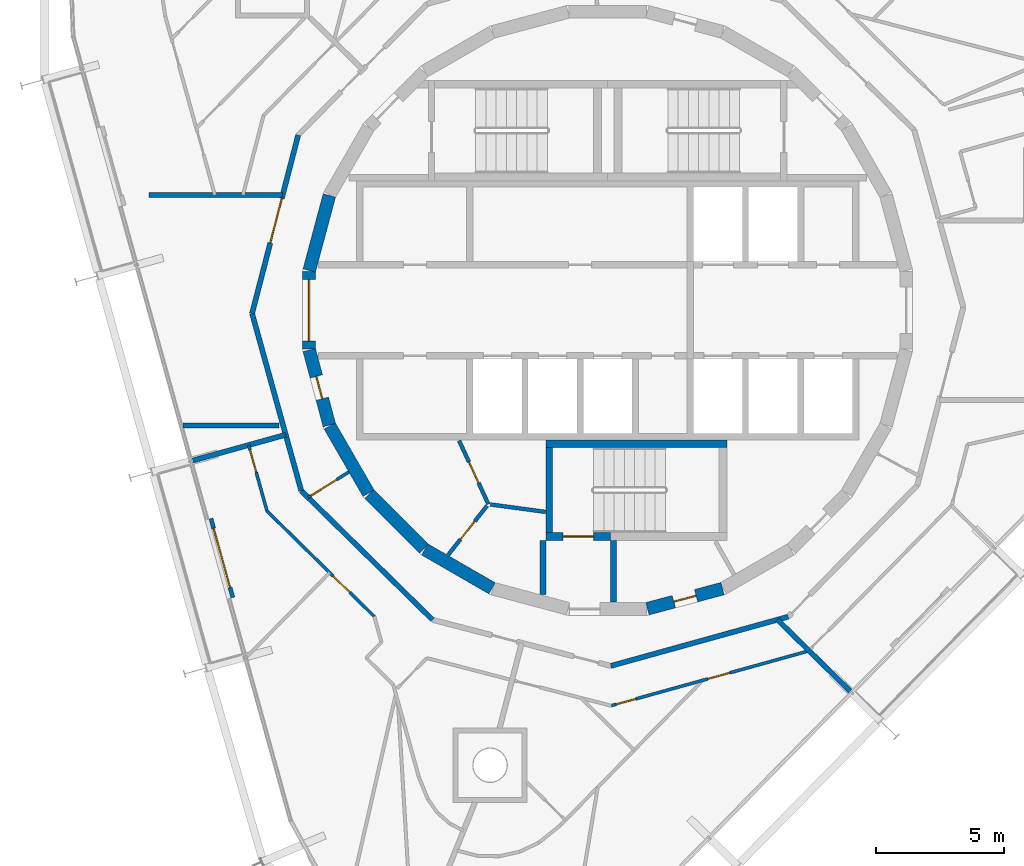
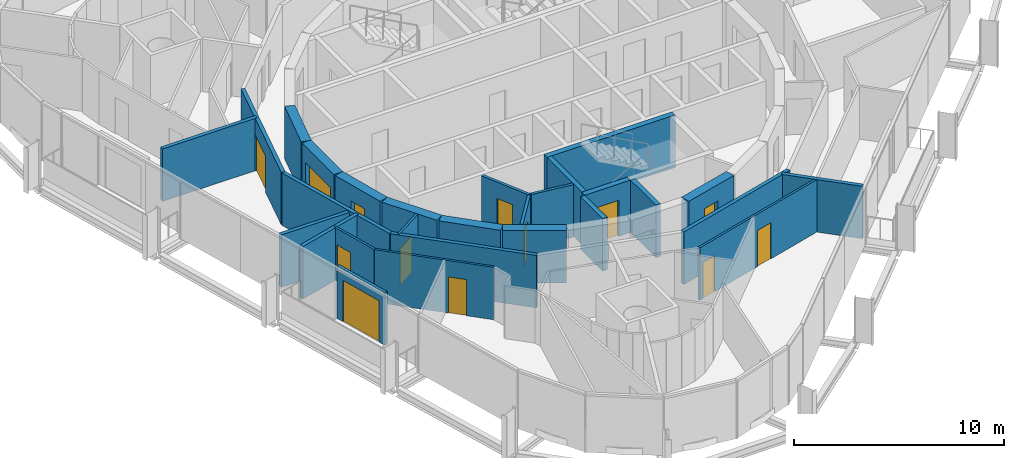
# One storey, part 10 of 15: 28 walls, 13 doors, 13 openings.
"""IFC4 building model written with IfcOpenShell, lengths in metres."""

from ifc_helpers import new_model, si_unit, direction, frame, frame_2d, origin, place, context, subcontext, project, spatial, rectangle, extrude, material, layer, layer_set, type_object, element, fill, save


model = new_model("IFC4")

# Units and contexts
model_context = context("Model", 3, precision=1e-05, world=origin(), true_north=direction((0.0, 1.0)))
body_context = subcontext(model_context, "Body", "Model", "MODEL_VIEW")
ifc_project = project(units=[si_unit("LENGTHUNIT", "METRE"), si_unit("AREAUNIT", "SQUARE_METRE"), si_unit("VOLUMEUNIT", "CUBIC_METRE"), si_unit("PLANEANGLEUNIT", "RADIAN"), si_unit("MASSUNIT", "GRAM", prefix="KILO")], contexts=[model_context])

# Site, building, storey
site_placement = place(None, origin())
site = spatial("IfcSite", under=ifc_project, at=site_placement, CompositionType="ELEMENT")
building_placement = place(site_placement, origin())
building = spatial("IfcBuilding", under=site, at=building_placement, Name="Spindle Arch Residences", CompositionType="ELEMENT")
storey_placement = place(building_placement, frame((0.0, 0.0, 322.699951171875)))
storey = spatial("IfcBuildingStorey", under=building, at=storey_placement, Name="L83", CompositionType="ELEMENT", Elevation=322.699951171875)

# Wall, opening, door
ifc_material_1 = material(Name="Concrete C50/60", Category="concrete")
ifc_layer_1 = layer(ifc_material_1, 0.5)
ifc_layer_set_1 = layer_set([ifc_layer_1], Name="Core outline wall 500")
wall_type_1 = type_object("IfcWallType", Name="Core outline wall 500", PredefinedType="SHEAR", material=ifc_layer_set_1)
wall_1_placement = place(storey_placement, frame((1.5498046875, -11.642822265625, 0.0), z_axis=(0.0, 0.0, 1.0), x_axis=(0.965948410781, 0.258734743916, 0.0)))
wall_1 = element("IfcWall", 1, at=wall_1_placement, inside=storey, type_object=wall_type_1, Name="Core outline wall 1", PredefinedType="SHEAR", context=body_context, shape_type="SweptSolid", body=[
    extrude(rectangle(XDim=3.03271484375, YDim=0.5, at=frame_2d((1.516357421875, 0.0))), origin(), (0.0, 0.0, 1.0), 3.050048828125),
])
opening_1_placement = place(wall_1_placement, frame((1.06640625, 0.0, 0.0)))
opening_1 = element("IfcOpeningElement", 2, at=opening_1_placement, cuts=wall_1, Name="Opening R8C1-WD09", PredefinedType="OPENING", context=body_context, shape_type="SweptSolid", body=[
    extrude(rectangle(XDim=0.89990234375, YDim=2.10009765625, at=frame_2d((0.449951171875, 1.050048828125))), frame((0.0, 0.260009765625, 0.0), z_axis=(0.0, -1.0, 0.0), x_axis=(1.0, 0.0, 0.0)), (0.0, 0.0, 1.0), 0.52001953125),
])
ifc_material_2 = material(Name="Steel, fire-resisting door", Category="steel")
door_type_1 = type_object("IfcDoorType", Name="Service room door 900x2100", OperationType="SINGLE_SWING_LEFT", PredefinedType="DOOR", material=ifc_material_2)
door_1_placement = place(opening_1_placement, origin())
door_1 = element("IfcDoor", 3, at=door_1_placement, inside=storey, type_object=door_type_1, Name="Service room door R8C1-WD09", OperationType="SINGLE_SWING_LEFT", OverallHeight=2.10009765625, OverallWidth=0.89990234375, PredefinedType="DOOR", context=body_context, shape_type="SweptSolid", body=[
    extrude(rectangle(XDim=0.89990234375, YDim=2.10009765625, at=frame_2d((0.449951171875, 1.050048828125))), frame((0.0, 0.02490234375, 0.0), z_axis=(0.0, -1.0, 0.0), x_axis=(1.0, 0.0, 0.0)), (0.0, 0.0, 1.0), 0.050048828125),
])
fill(opening_1, door_1)

# Wall
wall_2_placement = place(storey_placement, frame((-10.858154296875, 4.479248046875, 0.0), z_axis=(0.0, 0.0, 1.0), x_axis=(-0.258734743916, -0.965948410781, 0.0)))
element("IfcWall", 4, at=wall_2_placement, inside=storey, type_object=wall_type_1, Name="Core outline wall 17", PredefinedType="SHEAR", context=body_context, shape_type="SweptSolid", body=[
    extrude(rectangle(XDim=3.03271484375, YDim=0.5, at=frame_2d((1.516357421875, 0.0))), origin(), (0.0, 0.0, 1.0), 3.050048828125),
])

# Wall, opening, door
wall_3_placement = place(storey_placement, frame((-11.647216796875, 1.516357421875, 0.0), z_axis=(0.0, 0.0, 1.0), x_axis=(0.0, -1.0, 0.0)))
wall_3 = element("IfcWall", 5, at=wall_3_placement, inside=storey, type_object=wall_type_1, Name="Core outline wall 18", PredefinedType="SHEAR", context=body_context, shape_type="SweptSolid", body=[
    extrude(rectangle(XDim=3.03271484375, YDim=0.5, at=frame_2d((1.516357421875, 0.0))), origin(), (0.0, 0.0, 1.0), 3.050048828125),
])
opening_2_placement = place(wall_3_placement, frame((0.31640625, 0.0, 0.0)))
opening_2 = element("IfcOpeningElement", 6, at=opening_2_placement, cuts=wall_3, Name="Opening R8C1-LE01", PredefinedType="OPENING", context=body_context, shape_type="SweptSolid", body=[
    extrude(rectangle(XDim=2.39990234375, YDim=2.10009765625, at=frame_2d((1.199951171875, 1.050048828125))), frame((0.0, 0.260009765625, 0.0), z_axis=(0.0, -1.0, 0.0), x_axis=(1.0, 0.0, 0.0)), (0.0, 0.0, 1.0), 0.52001953125),
])
ifc_material_3 = material(Name="Steel, fire-resisting door", Category="steel")
door_type_2 = type_object("IfcDoorType", Name="Lift lobby entrance door 2400x2100", OperationType="DOUBLE_DOOR_SINGLE_SWING", PredefinedType="DOOR", material=ifc_material_3)
door_2_placement = place(opening_2_placement, origin())
door_2 = element("IfcDoor", 7, at=door_2_placement, inside=storey, type_object=door_type_2, Name="Lift lobby entrance door R8C1-LE01", OperationType="DOUBLE_DOOR_SINGLE_SWING", OverallHeight=2.10009765625, OverallWidth=2.39990234375, PredefinedType="DOOR", context=body_context, shape_type="SweptSolid", body=[
    extrude(rectangle(XDim=2.39990234375, YDim=2.10009765625, at=frame_2d((1.199951171875, 1.050048828125))), frame((0.0, 0.02490234375, 0.0), z_axis=(0.0, -1.0, 0.0), x_axis=(1.0, 0.0, 0.0)), (0.0, 0.0, 1.0), 0.050048828125),
])
fill(opening_2, door_2)

wall_4_placement = place(storey_placement, frame((-11.642822265625, -1.5498046875, 0.0), z_axis=(0.0, 0.0, 1.0), x_axis=(0.258734743916, -0.965948410781, 0.0)))
wall_4 = element("IfcWall", 8, at=wall_4_placement, inside=storey, type_object=wall_type_1, Name="Core outline wall 19", PredefinedType="SHEAR", context=body_context, shape_type="SweptSolid", body=[
    extrude(rectangle(XDim=3.03271484375, YDim=0.5, at=frame_2d((1.516357421875, 0.0))), origin(), (0.0, 0.0, 1.0), 3.050048828125),
])
opening_3_placement = place(wall_4_placement, frame((1.06640625, 0.0, 0.0)))
opening_3 = element("IfcOpeningElement", 9, at=opening_3_placement, cuts=wall_4, Name="Opening R8C1-WD10", PredefinedType="OPENING", context=body_context, shape_type="SweptSolid", body=[
    extrude(rectangle(XDim=0.89990234375, YDim=2.10009765625, at=frame_2d((0.449951171875, 1.050048828125))), frame((0.0, 0.260009765625, 0.0), z_axis=(0.0, -1.0, 0.0), x_axis=(1.0, 0.0, 0.0)), (0.0, 0.0, 1.0), 0.52001953125),
])
door_3_placement = place(opening_3_placement, origin())
door_3 = element("IfcDoor", 10, at=door_3_placement, inside=storey, type_object=door_type_1, Name="Service room door R8C1-WD10", OperationType="SINGLE_SWING_RIGHT", OverallHeight=2.10009765625, OverallWidth=0.89990234375, PredefinedType="DOOR", context=body_context, shape_type="SweptSolid", body=[
    extrude(rectangle(XDim=0.89990234375, YDim=2.10009765625, at=frame_2d((0.449951171875, 1.050048828125))), frame((0.0, 0.02490234375, 0.0), z_axis=(0.0, -1.0, 0.0), x_axis=(1.0, 0.0, 0.0)), (0.0, 0.0, 1.0), 0.050048828125),
])
fill(opening_3, door_3)

# Walls
wall_5_placement = place(storey_placement, frame((-10.84521484375, -4.510498046875, 0.0), z_axis=(0.0, 0.0, 1.0), x_axis=(0.500087131594, -0.865975092491, 0.0)))
element("IfcWall", 11, at=wall_5_placement, inside=storey, type_object=wall_type_1, Name="Core outline wall 20", PredefinedType="SHEAR", context=body_context, shape_type="SweptSolid", body=[
    extrude(rectangle(XDim=3.03271484375, YDim=0.5, at=frame_2d((1.516357421875, 0.0))), origin(), (0.0, 0.0, 1.0), 3.050048828125),
])
wall_6_placement = place(storey_placement, frame((-9.30810546875, -7.163818359375, 0.0), z_axis=(0.0, 0.0, 1.0), x_axis=(0.707106781187, -0.707106781187, 0.0)))
element("IfcWall", 12, at=wall_6_placement, inside=storey, type_object=wall_type_1, Name="Core outline wall 21", PredefinedType="SHEAR", context=body_context, shape_type="SweptSolid", body=[
    extrude(rectangle(XDim=3.032470703125, YDim=0.5, at=frame_2d((1.51611328125, 0.0))), origin(), (0.0, 0.0, 1.0), 3.050048828125),
])
wall_7_placement = place(storey_placement, frame((-7.13671875, -9.32861328125, 0.0), z_axis=(0.0, 0.0, 1.0), x_axis=(0.865975092491, -0.500087131594, 0.0)))
element("IfcWall", 13, at=wall_7_placement, inside=storey, type_object=wall_type_1, Name="Core outline wall 22", PredefinedType="SHEAR", context=body_context, shape_type="SweptSolid", body=[
    extrude(rectangle(XDim=3.03271484375, YDim=0.5, at=frame_2d((1.516357421875, 0.0))), origin(), (0.0, 0.0, 1.0), 3.050048828125),
])

# Wall, opening, door
ifc_material_4 = material(Name="Plasterboard on steel studs", Category="steel")
ifc_layer_2 = layer(ifc_material_4, 0.1201171875)
ifc_layer_set_2 = layer_set([ifc_layer_2], Name="Corridor division wall 120")
wall_type_2 = type_object("IfcWallType", Name="Corridor division wall 120", PredefinedType="PARTITIONING", material=ifc_layer_set_2)
wall_8_placement = place(storey_placement, frame((-11.686767578125, -7.302734375, 0.0), z_axis=(0.0, 0.0, 1.0), x_axis=(0.848064094072, 0.529893661357, 0.0)))
wall_8 = element("IfcWall", 14, at=wall_8_placement, inside=storey, type_object=wall_type_2, Name="Corridor division wall R8C1-W003", PredefinedType="PARTITIONING", context=body_context, shape_type="SweptSolid", body=[
    extrude(rectangle(XDim=1.876220703125, YDim=0.1201171875, at=frame_2d((0.93798828125, 0.0))), origin(), (0.0, 0.0, 1.0), 3.050048828125),
])
opening_4_placement = place(wall_8_placement, frame((0.125, 0.0, 0.0)))
opening_4 = element("IfcOpeningElement", 15, at=opening_4_placement, cuts=wall_8, Name="Opening R8C1-CD03", PredefinedType="OPENING", context=body_context, shape_type="SweptSolid", body=[
    extrude(rectangle(XDim=1.199951171875, YDim=2.10009765625, at=frame_2d((0.60009765625, 1.050048828125))), frame((0.0, 0.070068359375, 0.0), z_axis=(0.0, -1.0, 0.0), x_axis=(1.0, 0.0, 0.0)), (0.0, 0.0, 1.0), 0.14013671875),
])
ifc_material_5 = material(Name="Steel, fire-resisting door", Category="steel")
door_type_3 = type_object("IfcDoorType", Name="Corridor division door 1200x2100", OperationType="NOTDEFINED", PredefinedType="DOOR", material=ifc_material_5)
door_4_placement = place(opening_4_placement, origin())
door_4 = element("IfcDoor", 16, at=door_4_placement, inside=storey, type_object=door_type_3, Name="Corridor division door R8C1-CD03", OperationType="DOUBLE_DOOR_SINGLE_SWING", OverallHeight=2.10009765625, OverallWidth=1.199951171875, PredefinedType="DOOR", context=body_context, shape_type="SweptSolid", body=[
    extrude(rectangle(XDim=1.199951171875, YDim=2.10009765625, at=frame_2d((0.60009765625, 1.050048828125))), frame((0.0, 0.02490234375, 0.0), z_axis=(0.0, -1.0, 0.0), x_axis=(1.0, 0.0, 0.0)), (0.0, 0.0, 1.0), 0.050048828125),
])
fill(opening_4, door_4)

# Walls
ifc_material_6 = material(Name="Calcium silicate block, plastered")
ifc_layer_3 = layer(ifc_material_6, 0.199951171875)
ifc_layer_set_3 = layer_set([ifc_layer_3], Name="Corridor wall 200")
wall_type_3 = type_object("IfcWallType", Name="Corridor wall 200", PredefinedType="STANDARD", material=ifc_layer_set_3)
wall_9_placement = place(storey_placement, frame((-11.953125, -7.041015625, 0.0), z_axis=(0.0, 0.0, 1.0), x_axis=(0.713250549143, -0.70090916255, 0.0)))
element("IfcWall", 17, at=wall_9_placement, inside=storey, type_object=wall_type_3, Name="Corridor wall R8C1-W013", PredefinedType="STANDARD", context=body_context, shape_type="SweptSolid", body=[
    extrude(rectangle(XDim=7.180908203125, YDim=0.199951171875, at=frame_2d((3.59033203125, 0.0))), origin(), (0.0, 0.0, 1.0), 3.050048828125),
])
wall_10_placement = place(storey_placement, frame((0.12109375, -13.872314453125, 0.0), z_axis=(0.0, 0.0, 1.0), x_axis=(0.963625960674, 0.267254575108, 0.0)))
element("IfcWall", 18, at=wall_10_placement, inside=storey, type_object=wall_type_3, Name="Corridor wall R8C1-W015", PredefinedType="STANDARD", context=body_context, shape_type="SweptSolid", body=[
    extrude(rectangle(XDim=7.18115234375, YDim=0.199951171875, at=frame_2d((3.590576171875, 0.0))), origin(), (0.0, 0.0, 1.0), 3.050048828125),
])

# Wall, opening, door
ifc_material_7 = material(Name="Plasterboard on steel studs", Category="steel")
ifc_layer_4 = layer(ifc_material_7, 0.1201171875)
ifc_layer_set_4 = layer_set([ifc_layer_4], Name="Flat partition 120")
wall_type_4 = type_object("IfcWallType", Name="Flat partition 120", PredefinedType="PARTITIONING", material=ifc_layer_set_4)
wall_11_placement = place(storey_placement, frame((-14.004638671875, -5.25634765625, 0.0), z_axis=(0.0, 0.0, 1.0), x_axis=(0.267200500487, -0.963640956238, 0.0)))
wall_11 = element("IfcWall", 19, at=wall_11_placement, inside=storey, type_object=wall_type_4, Name="Flat partition R8C1-W067", PredefinedType="PARTITIONING", context=body_context, shape_type="SweptSolid", body=[
    extrude(rectangle(XDim=2.669921875, YDim=0.1201171875, at=frame_2d((1.3349609375, 0.0))), origin(), (0.0, 0.0, 1.0), 3.050048828125),
])
opening_5_placement = place(wall_11_placement, frame((0.199951171875, 0.0, 0.0)))
opening_5 = element("IfcOpeningElement", 20, at=opening_5_placement, cuts=wall_11, Name="Opening R8C1-ID13", PredefinedType="OPENING", context=body_context, shape_type="SweptSolid", body=[
    extrude(rectangle(XDim=0.89990234375, YDim=2.10009765625, at=frame_2d((0.449951171875, 1.050048828125))), frame((0.0, 0.070068359375, 0.0), z_axis=(0.0, -1.0, 0.0), x_axis=(1.0, 0.0, 0.0)), (0.0, 0.0, 1.0), 0.14013671875),
])
ifc_material_8 = material(Name="Timber door set", Category="wood")
door_type_4 = type_object("IfcDoorType", Name="Room door 900x2100", OperationType="NOTDEFINED", PredefinedType="DOOR", material=ifc_material_8)
door_5_placement = place(opening_5_placement, origin())
door_5 = element("IfcDoor", 21, at=door_5_placement, inside=storey, type_object=door_type_4, Name="Room door R8C1-ID13", OperationType="SINGLE_SWING_RIGHT", OverallHeight=2.10009765625, OverallWidth=0.89990234375, PredefinedType="DOOR", context=body_context, shape_type="SweptSolid", body=[
    extrude(rectangle(XDim=0.89990234375, YDim=2.10009765625, at=frame_2d((0.449951171875, 1.050048828125))), frame((0.0, 0.02490234375, 0.0), z_axis=(0.0, -1.0, 0.0), x_axis=(1.0, 0.0, 0.0)), (0.0, 0.0, 1.0), 0.050048828125),
])
fill(opening_5, door_5)

wall_12_placement = place(storey_placement, frame((-13.291259765625, -7.8291015625, 0.0), z_axis=(0.0, 0.0, 1.0), x_axis=(0.713255094589, -0.700904537039, 0.0)))
wall_12 = element("IfcWall", 22, at=wall_12_placement, inside=storey, type_object=wall_type_4, Name="Flat partition R8C1-W068", PredefinedType="PARTITIONING", context=body_context, shape_type="SweptSolid", body=[
    extrude(rectangle(XDim=5.870849609375, YDim=0.1201171875, at=frame_2d((2.935546875, 0.0))), origin(), (0.0, 0.0, 1.0), 3.050048828125),
])
opening_6_placement = place(wall_12_placement, frame((3.62744140625, 0.0, 0.0)))
opening_6 = element("IfcOpeningElement", 23, at=opening_6_placement, cuts=wall_12, Name="Opening R8C1-ID14", PredefinedType="OPENING", context=body_context, shape_type="SweptSolid", body=[
    extrude(rectangle(XDim=0.89990234375, YDim=2.10009765625, at=frame_2d((0.449951171875, 1.050048828125))), frame((0.0, 0.070068359375, 0.0), z_axis=(0.0, -1.0, 0.0), x_axis=(1.0, 0.0, 0.0)), (0.0, 0.0, 1.0), 0.14013671875),
])
door_6_placement = place(opening_6_placement, origin())
door_6 = element("IfcDoor", 24, at=door_6_placement, inside=storey, type_object=door_type_4, Name="Room door R8C1-ID14", OperationType="SINGLE_SWING_RIGHT", OverallHeight=2.10009765625, OverallWidth=0.89990234375, PredefinedType="DOOR", context=body_context, shape_type="SweptSolid", body=[
    extrude(rectangle(XDim=0.89990234375, YDim=2.10009765625, at=frame_2d((0.449951171875, 1.050048828125))), frame((0.0, 0.02490234375, 0.0), z_axis=(0.0, -1.0, 0.0), x_axis=(1.0, 0.0, 0.0)), (0.0, 0.0, 1.0), 0.050048828125),
])
fill(opening_6, door_6)

# Wall, openings, doors
wall_13_placement = place(storey_placement, frame((0.134521484375, -15.425048828125, 0.0), z_axis=(0.0, 0.0, 1.0), x_axis=(0.963633899075, 0.267225950373, 0.0)))
wall_13 = element("IfcWall", 25, at=wall_13_placement, inside=storey, type_object=wall_type_4, Name="Flat partition R8C1-W082", PredefinedType="PARTITIONING", context=body_context, shape_type="SweptSolid", body=[
    extrude(rectangle(XDim=7.98486328125, YDim=0.1201171875, at=frame_2d((3.992431640625, 0.0))), origin(), (0.0, 0.0, 1.0), 3.050048828125),
])
opening_7_placement = place(wall_13_placement, frame((0.199951171875, 0.0, 0.0)))
opening_7 = element("IfcOpeningElement", 26, at=opening_7_placement, cuts=wall_13, Name="Opening R8C1-BD05", PredefinedType="OPENING", context=body_context, shape_type="SweptSolid", body=[
    extrude(rectangle(XDim=0.800048828125, YDim=2.10009765625, at=frame_2d((0.39990234375, 1.050048828125))), frame((0.0, 0.070068359375, 0.0), z_axis=(0.0, -1.0, 0.0), x_axis=(1.0, 0.0, 0.0)), (0.0, 0.0, 1.0), 0.14013671875),
])
opening_8_placement = place(wall_13_placement, frame((3.9140625, 0.0, 0.0)))
opening_8 = element("IfcOpeningElement", 27, at=opening_8_placement, cuts=wall_13, Name="Opening R8C1-ID18", PredefinedType="OPENING", context=body_context, shape_type="SweptSolid", body=[
    extrude(rectangle(XDim=0.89990234375, YDim=2.10009765625, at=frame_2d((0.449951171875, 1.050048828125))), frame((0.0, 0.070068359375, 0.0), z_axis=(0.0, -1.0, 0.0), x_axis=(1.0, 0.0, 0.0)), (0.0, 0.0, 1.0), 0.14013671875),
])
ifc_material_9 = material(Name="Timber door set", Category="wood")
door_type_5 = type_object("IfcDoorType", Name="Bathroom door 800x2100", OperationType="NOTDEFINED", PredefinedType="DOOR", material=ifc_material_9)
door_7_placement = place(opening_7_placement, origin())
door_7 = element("IfcDoor", 28, at=door_7_placement, inside=storey, type_object=door_type_5, Name="Bathroom door R8C1-BD05", OperationType="SINGLE_SWING_LEFT", OverallHeight=2.10009765625, OverallWidth=0.800048828125, PredefinedType="DOOR", context=body_context, shape_type="SweptSolid", body=[
    extrude(rectangle(XDim=0.800048828125, YDim=2.10009765625, at=frame_2d((0.39990234375, 1.050048828125))), frame((0.0, 0.02490234375, 0.0), z_axis=(0.0, -1.0, 0.0), x_axis=(1.0, 0.0, 0.0)), (0.0, 0.0, 1.0), 0.050048828125),
])
fill(opening_7, door_7)
door_8_placement = place(opening_8_placement, origin())
door_8 = element("IfcDoor", 29, at=door_8_placement, inside=storey, type_object=door_type_4, Name="Room door R8C1-ID18", OperationType="SINGLE_SWING_LEFT", OverallHeight=2.10009765625, OverallWidth=0.89990234375, PredefinedType="DOOR", context=body_context, shape_type="SweptSolid", body=[
    extrude(rectangle(XDim=0.89990234375, YDim=2.10009765625, at=frame_2d((0.449951171875, 1.050048828125))), frame((0.0, 0.02490234375, 0.0), z_axis=(0.0, -1.0, 0.0), x_axis=(1.0, 0.0, 0.0)), (0.0, 0.0, 1.0), 0.050048828125),
])
fill(opening_8, door_8)

# Walls
ifc_material_10 = material(Name="Calcium silicate block, plastered")
ifc_layer_5 = layer(ifc_material_10, 0.199951171875)
ifc_layer_set_5 = layer_set([ifc_layer_5], Name="Flat party wall 200")
wall_type_5 = type_object("IfcWallType", Name="Flat party wall 200", PredefinedType="STANDARD", material=ifc_layer_set_5)
wall_14_placement = place(storey_placement, frame((-16.18701171875, -5.861572265625, 0.0), z_axis=(0.0, 0.0, 1.0), x_axis=(0.963631166683, 0.267235803358, 0.0)))
element("IfcWall", 30, at=wall_14_placement, inside=storey, type_object=wall_type_5, Name="Flat party wall R8C1-W026", PredefinedType="STANDARD", context=body_context, shape_type="SweptSolid", body=[
    extrude(rectangle(XDim=3.764892578125, YDim=0.199951171875, at=frame_2d((1.88232421875, 0.0))), origin(), (0.0, 0.0, 1.0), 3.050048828125),
])
wall_15_placement = place(storey_placement, frame((9.4619140625, -14.860595703125, 0.0), z_axis=(0.0, 0.0, 1.0), x_axis=(-0.713302018318, 0.700856783276, 0.0)))
element("IfcWall", 31, at=wall_15_placement, inside=storey, type_object=wall_type_5, Name="Flat party wall R8C1-W029", PredefinedType="STANDARD", context=body_context, shape_type="SweptSolid", body=[
    extrude(rectangle(XDim=3.982177734375, YDim=0.199951171875, at=frame_2d((1.9912109375, 0.0))), origin(), (0.0, 0.0, 1.0), 3.050048828125),
])

# Wall, opening, door
ifc_material_11 = material(Name="Non-combustible mineral wool insulated aluminium faced external wall (K0)", Category="aluminium")
ifc_layer_6 = layer(ifc_material_11, 0.159912109375)
ifc_layer_set_6 = layer_set([ifc_layer_6], Name="Insulated external wall panel 160")
wall_type_6 = type_object("IfcWallType", Name="Insulated external wall panel 160", PredefinedType="STANDARD", material=ifc_layer_set_6)
wall_16_placement = place(storey_placement, frame((-15.47705078125, -8.12158203125, 0.0), z_axis=(0.0, 0.0, 1.0), x_axis=(0.267195229387, -0.963642417805, 0.0)))
wall_16 = element("IfcWall", 32, at=wall_16_placement, inside=storey, type_object=wall_type_6, Name="External wall L83 bay 14", PredefinedType="STANDARD", context=body_context, shape_type="SweptSolid", body=[
    extrude(rectangle(XDim=3.199951171875, YDim=0.159912109375, at=frame_2d((1.60009765625, 0.0))), origin(), (0.0, 0.0, 1.0), 3.050048828125),
])
opening_9_placement = place(wall_16_placement, frame((0.39990234375, 0.0, 0.0)))
opening_9 = element("IfcOpeningElement", 33, at=opening_9_placement, cuts=wall_16, Name="Opening BD14", PredefinedType="OPENING", context=body_context, shape_type="SweptSolid", body=[
    extrude(rectangle(XDim=2.39990234375, YDim=2.39990234375, at=frame_2d((1.199951171875, 1.199951171875))), frame((0.0, 0.08984375, 0.0), z_axis=(0.0, -1.0, 0.0), x_axis=(1.0, 0.0, 0.0)), (0.0, 0.0, 1.0), 0.179931640625),
])
ifc_material_12 = material(Name="Bronze aluminium frame, tinted double glazing", Category="aluminium")
door_type_6 = type_object("IfcDoorType", Name="Sliding glazed balcony door 2400x2400", OperationType="DOUBLE_DOOR_SLIDING", PredefinedType="DOOR", material=ifc_material_12)
door_9_placement = place(opening_9_placement, origin())
door_9 = element("IfcDoor", 34, at=door_9_placement, inside=storey, type_object=door_type_6, Name="Balcony door BD14", OperationType="DOUBLE_DOOR_SLIDING", OverallHeight=2.39990234375, OverallWidth=2.39990234375, PredefinedType="DOOR", context=body_context, shape_type="SweptSolid", body=[
    extrude(rectangle(XDim=2.39990234375, YDim=2.39990234375, at=frame_2d((1.199951171875, 1.199951171875))), frame((0.0, 0.02490234375, 0.0), z_axis=(0.0, -1.0, 0.0), x_axis=(1.0, 0.0, 0.0)), (0.0, 0.0, 1.0), 0.050048828125),
])
fill(opening_9, door_9)

ifc_material_13 = material(Name="Calcium silicate block, plastered")
ifc_layer_7 = layer(ifc_material_13, 0.199951171875)
ifc_layer_set_7 = layer_set([ifc_layer_7], Name="Lift lobby bay wall 200")
wall_type_7 = type_object("IfcWallType", Name="Lift lobby bay wall 200", PredefinedType="STANDARD", material=ifc_layer_set_7)
wall_17_placement = place(storey_placement, frame((-12.07421875, 6.831298828125, 0.0), z_axis=(0.0, 0.0, 1.0), x_axis=(-0.250391063186, -0.968144780225, 0.0)))
wall_17 = element("IfcWall", 35, at=wall_17_placement, inside=storey, type_object=wall_type_7, Name="Lift lobby bay wall R8C1-W010", PredefinedType="STANDARD", context=body_context, shape_type="SweptSolid", body=[
    extrude(rectangle(XDim=7.18115234375, YDim=0.199951171875, at=frame_2d((3.590576171875, 0.0))), origin(), (0.0, 0.0, 1.0), 3.050048828125),
])
opening_10_placement = place(wall_17_placement, frame((2.5478515625, 0.0, 0.0)))
opening_10 = element("IfcOpeningElement", 36, at=opening_10_placement, cuts=wall_17, Name="Opening R8C1-LB01", PredefinedType="OPENING", context=body_context, shape_type="SweptSolid", body=[
    extrude(rectangle(XDim=1.800048828125, YDim=2.10009765625, at=frame_2d((0.89990234375, 1.050048828125))), frame((0.0, 0.10986328125, 0.0), z_axis=(0.0, -1.0, 0.0), x_axis=(1.0, 0.0, 0.0)), (0.0, 0.0, 1.0), 0.219970703125),
])
ifc_material_14 = material(Name="Steel, fire-resisting door", Category="steel")
door_type_7 = type_object("IfcDoorType", Name="Lift lobby bay door 1800x2100", OperationType="NOTDEFINED", PredefinedType="DOOR", material=ifc_material_14)
door_10_placement = place(opening_10_placement, origin())
door_10 = element("IfcDoor", 37, at=door_10_placement, inside=storey, type_object=door_type_7, Name="Lift lobby bay door R8C1-LB01", OperationType="DOUBLE_DOOR_SINGLE_SWING", OverallHeight=2.10009765625, OverallWidth=1.800048828125, PredefinedType="DOOR", context=body_context, shape_type="SweptSolid", body=[
    extrude(rectangle(XDim=1.800048828125, YDim=2.10009765625, at=frame_2d((0.89990234375, 1.050048828125))), frame((0.0, 0.02490234375, 0.0), z_axis=(0.0, -1.0, 0.0), x_axis=(1.0, 0.0, 0.0)), (0.0, 0.0, 1.0), 0.050048828125),
])
fill(opening_10, door_10)

# Walls
wall_18_placement = place(storey_placement, frame((-13.872314453125, -0.12109375, 0.0), z_axis=(0.0, 0.0, 1.0), x_axis=(0.267254575108, -0.963625960674, 0.0)))
element("IfcWall", 38, at=wall_18_placement, inside=storey, type_object=wall_type_7, Name="Lift lobby bay wall R8C1-W011", PredefinedType="STANDARD", context=body_context, shape_type="SweptSolid", body=[
    extrude(rectangle(XDim=7.18115234375, YDim=0.199951171875, at=frame_2d((3.590576171875, 0.0))), origin(), (0.0, 0.0, 1.0), 3.050048828125),
])
wall_19_placement = place(storey_placement, frame((-12.677001953125, 4.5, 0.0), z_axis=(0.0, 0.0, 1.0), x_axis=(-1.0, 0.0, 0.0)))
element("IfcWall", 39, at=wall_19_placement, inside=storey, type_object=wall_type_7, Name="Lift lobby bay wall R8C1-W017", PredefinedType="STANDARD", context=body_context, shape_type="SweptSolid", body=[
    extrude(rectangle(XDim=5.20849609375, YDim=0.199951171875, at=frame_2d((2.604248046875, 0.0))), origin(), (0.0, 0.0, 1.0), 3.050048828125),
])
wall_20_placement = place(storey_placement, frame((-16.564453125, -4.5, 0.0), z_axis=(0.0, 0.0, 1.0), x_axis=(1.0, 0.0, 0.0)))
element("IfcWall", 40, at=wall_20_placement, inside=storey, type_object=wall_type_7, Name="Lift lobby bay wall R8C1-W018", PredefinedType="STANDARD", context=body_context, shape_type="SweptSolid", body=[
    extrude(rectangle(XDim=3.73583984375, YDim=0.199951171875, at=frame_2d((1.867919921875, 0.0))), origin(), (0.0, 0.0, 1.0), 3.050048828125),
])

# Wall, opening, door
ifc_material_15 = material(Name="Concrete C25/30", Category="concrete")
ifc_layer_8 = layer(ifc_material_15, 0.14990234375)
ifc_layer_set_8 = layer_set([ifc_layer_8], Name="Service room partition 150")
wall_type_8 = type_object("IfcWallType", Name="Service room partition 150", PredefinedType="PARTITIONING", material=ifc_layer_set_8)
wall_21_placement = place(storey_placement, frame((-5.794921875, -5.086181640625, 0.0), z_axis=(0.0, 0.0, 1.0), x_axis=(0.417887867606, -0.908498613157, 0.0)))
wall_21 = element("IfcWall", 41, at=wall_21_placement, inside=storey, type_object=wall_type_8, Name="Core service room partition", PredefinedType="PARTITIONING", context=body_context, shape_type="SweptSolid", body=[
    extrude(rectangle(XDim=2.72607421875, YDim=0.14990234375, at=frame_2d((1.363037109375, 0.0))), origin(), (0.0, 0.0, 1.0), 3.050048828125),
])
opening_11_placement = place(wall_21_placement, frame((0.912841796875, 0.0, 0.0)))
opening_11 = element("IfcOpeningElement", 42, at=opening_11_placement, cuts=wall_21, Name="Opening R8C1-WD06", PredefinedType="OPENING", context=body_context, shape_type="SweptSolid", body=[
    extrude(rectangle(XDim=0.89990234375, YDim=2.10009765625, at=frame_2d((0.449951171875, 1.050048828125))), frame((0.0, 0.0849609375, 0.0), z_axis=(0.0, -1.0, 0.0), x_axis=(1.0, 0.0, 0.0)), (0.0, 0.0, 1.0), 0.169921875),
])
door_11_placement = place(opening_11_placement, origin())
door_11 = element("IfcDoor", 43, at=door_11_placement, inside=storey, type_object=door_type_1, Name="Service room door R8C1-WD06", OperationType="SINGLE_SWING_RIGHT", OverallHeight=2.10009765625, OverallWidth=0.89990234375, PredefinedType="DOOR", context=body_context, shape_type="SweptSolid", body=[
    extrude(rectangle(XDim=0.89990234375, YDim=2.10009765625, at=frame_2d((0.449951171875, 1.050048828125))), frame((0.0, 0.02490234375, 0.0), z_axis=(0.0, -1.0, 0.0), x_axis=(1.0, 0.0, 0.0)), (0.0, 0.0, 1.0), 0.050048828125),
])
fill(opening_11, door_11)

wall_22_placement = place(storey_placement, frame((-4.70556640625, -7.62548828125, 0.0), z_axis=(0.0, 0.0, 1.0), x_axis=(-0.621392599334, -0.783499353856, 0.0)))
wall_22 = element("IfcWall", 44, at=wall_22_placement, inside=storey, type_object=wall_type_8, Name="Core service room partition", PredefinedType="PARTITIONING", context=body_context, shape_type="SweptSolid", body=[
    extrude(rectangle(XDim=2.447265625, YDim=0.14990234375, at=frame_2d((1.2236328125, 0.0))), origin(), (0.0, 0.0, 1.0), 3.050048828125),
])
opening_12_placement = place(wall_22_placement, frame((0.773681640625, 0.0, 0.0)))
opening_12 = element("IfcOpeningElement", 45, at=opening_12_placement, cuts=wall_22, Name="Opening R8C1-WD07", PredefinedType="OPENING", context=body_context, shape_type="SweptSolid", body=[
    extrude(rectangle(XDim=0.89990234375, YDim=2.10009765625, at=frame_2d((0.449951171875, 1.050048828125))), frame((0.0, 0.0849609375, 0.0), z_axis=(0.0, -1.0, 0.0), x_axis=(1.0, 0.0, 0.0)), (0.0, 0.0, 1.0), 0.169921875),
])
door_12_placement = place(opening_12_placement, origin())
door_12 = element("IfcDoor", 46, at=door_12_placement, inside=storey, type_object=door_type_1, Name="Service room door R8C1-WD07", OperationType="SINGLE_SWING_LEFT", OverallHeight=2.10009765625, OverallWidth=0.89990234375, PredefinedType="DOOR", context=body_context, shape_type="SweptSolid", body=[
    extrude(rectangle(XDim=0.89990234375, YDim=2.10009765625, at=frame_2d((0.449951171875, 1.050048828125))), frame((0.0, 0.02490234375, 0.0), z_axis=(0.0, -1.0, 0.0), x_axis=(1.0, 0.0, 0.0)), (0.0, 0.0, 1.0), 0.050048828125),
])
fill(opening_12, door_12)

# Walls
wall_23_placement = place(storey_placement, frame((-2.419921875, -7.865234375, 0.0), z_axis=(0.0, 0.0, 1.0), x_axis=(-0.990972299108, 0.134066783362, 0.0)))
element("IfcWall", 47, at=wall_23_placement, inside=storey, type_object=wall_type_8, Name="Core service room partition", PredefinedType="PARTITIONING", context=body_context, shape_type="SweptSolid", body=[
    extrude(rectangle(XDim=2.176025390625, YDim=0.14990234375, at=frame_2d((1.087890625, 0.0))), origin(), (0.0, 0.0, 1.0), 3.050048828125),
])
ifc_material_16 = material(Name="Concrete C40/50", Category="concrete")
ifc_layer_9 = layer(ifc_material_16, 0.25)
ifc_layer_set_9 = layer_set([ifc_layer_9], Name="Stair airlock wall 250")
wall_type_9 = type_object("IfcWallType", Name="Stair airlock wall 250", PredefinedType="SHEAR", material=ifc_layer_set_9)
wall_24_placement = place(storey_placement, frame((-2.52490234375, -8.969970703125, 0.0), z_axis=(0.0, 0.0, 1.0), x_axis=(0.0, -1.0, 0.0)))
element("IfcWall", 48, at=wall_24_placement, inside=storey, type_object=wall_type_9, Name="Stair ST-3 airlock wall W", PredefinedType="SHEAR", context=body_context, shape_type="SweptSolid", body=[
    extrude(rectangle(XDim=2.110107421875, YDim=0.25, at=frame_2d((1.05517578125, 0.0))), origin(), (0.0, 0.0, 1.0), 3.050048828125),
])
wall_25_placement = place(storey_placement, frame((0.22509765625, -8.969970703125, 0.0), z_axis=(0.0, 0.0, 1.0), x_axis=(0.0, -1.0, 0.0)))
element("IfcWall", 49, at=wall_25_placement, inside=storey, type_object=wall_type_9, Name="Stair ST-3 airlock wall E", PredefinedType="SHEAR", context=body_context, shape_type="SweptSolid", body=[
    extrude(rectangle(XDim=2.409912109375, YDim=0.25, at=frame_2d((1.205078125, 0.0))), origin(), (0.0, 0.0, 1.0), 3.050048828125),
])
ifc_material_17 = material(Name="Concrete C50/60", Category="concrete")
ifc_layer_10 = layer(ifc_material_17, 0.25)
ifc_layer_set_10 = layer_set([ifc_layer_10], Name="Stair enclosure wall 250")
wall_type_10 = type_object("IfcWallType", Name="Stair enclosure wall 250", PredefinedType="SHEAR", material=ifc_layer_set_10)
wall_26_placement = place(storey_placement, frame((-2.27490234375, -8.669921875, 0.0), z_axis=(0.0, 0.0, 1.0), x_axis=(0.0, 1.0, 0.0)))
element("IfcWall", 50, at=wall_26_placement, inside=storey, type_object=wall_type_10, Name="Stair ST-3 enclosure wall W", PredefinedType="SHEAR", context=body_context, shape_type="SweptSolid", body=[
    extrude(rectangle(XDim=3.31982421875, YDim=0.25, at=frame_2d((1.659912109375, 0.0))), origin(), (0.0, 0.0, 1.0), 3.050048828125),
])
ifc_material_18 = material(Name="Concrete C50/60", Category="concrete")
ifc_layer_11 = layer(ifc_material_18, 0.300048828125)
ifc_layer_set_11 = layer_set([ifc_layer_11], Name="Stair enclosure wall 300")
wall_type_11 = type_object("IfcWallType", Name="Stair enclosure wall 300", PredefinedType="SHEAR", material=ifc_layer_set_11)
wall_27_placement = place(storey_placement, frame((-2.39990234375, -5.199951171875, 0.0), z_axis=(0.0, 0.0, 1.0), x_axis=(1.0, 0.0, 0.0)))
element("IfcWall", 51, at=wall_27_placement, inside=storey, type_object=wall_type_11, Name="Stair ST-3 enclosure wall N", PredefinedType="SHEAR", context=body_context, shape_type="SweptSolid", body=[
    extrude(rectangle(XDim=7.0498046875, YDim=0.300048828125, at=frame_2d((3.52490234375, 0.0))), origin(), (0.0, 0.0, 1.0), 3.050048828125),
])

# Wall, opening, door
wall_28_placement = place(storey_placement, frame((-2.39990234375, -8.820068359375, 0.0), z_axis=(0.0, 0.0, 1.0), x_axis=(1.0, 0.0, 0.0)))
wall_28 = element("IfcWall", 52, at=wall_28_placement, inside=storey, type_object=wall_type_11, Name="Stair ST-3 door wall", PredefinedType="SHEAR", context=body_context, shape_type="SweptSolid", body=[
    extrude(rectangle(XDim=2.5, YDim=0.300048828125, at=frame_2d((1.25, 0.0))), origin(), (0.0, 0.0, 1.0), 3.050048828125),
])
opening_13_placement = place(wall_28_placement, frame((0.64990234375, 0.0, 0.0)))
opening_13 = element("IfcOpeningElement", 53, at=opening_13_placement, cuts=wall_28, Name="Opening R8C1-SD03", PredefinedType="OPENING", context=body_context, shape_type="SweptSolid", body=[
    extrude(rectangle(XDim=1.199951171875, YDim=2.10009765625, at=frame_2d((0.60009765625, 1.050048828125))), frame((0.0, 0.16015625, 0.0), z_axis=(0.0, -1.0, 0.0), x_axis=(1.0, 0.0, 0.0)), (0.0, 0.0, 1.0), 0.320068359375),
])
ifc_material_19 = material(Name="Steel, fire-resisting door", Category="steel")
door_type_8 = type_object("IfcDoorType", Name="Stair door 1200x2100", OperationType="SINGLE_SWING_RIGHT", PredefinedType="DOOR", material=ifc_material_19)
door_13_placement = place(opening_13_placement, origin())
door_13 = element("IfcDoor", 54, at=door_13_placement, inside=storey, type_object=door_type_8, Name="Stair door R8C1-SD03", OperationType="SINGLE_SWING_LEFT", OverallHeight=2.10009765625, OverallWidth=1.199951171875, PredefinedType="DOOR", context=body_context, shape_type="SweptSolid", body=[
    extrude(rectangle(XDim=1.199951171875, YDim=2.10009765625, at=frame_2d((0.60009765625, 1.050048828125))), frame((0.0, 0.02490234375, 0.0), z_axis=(0.0, -1.0, 0.0), x_axis=(1.0, 0.0, 0.0)), (0.0, 0.0, 1.0), 0.050048828125),
])
fill(opening_13, door_13)

save(model, "model.ifc")
